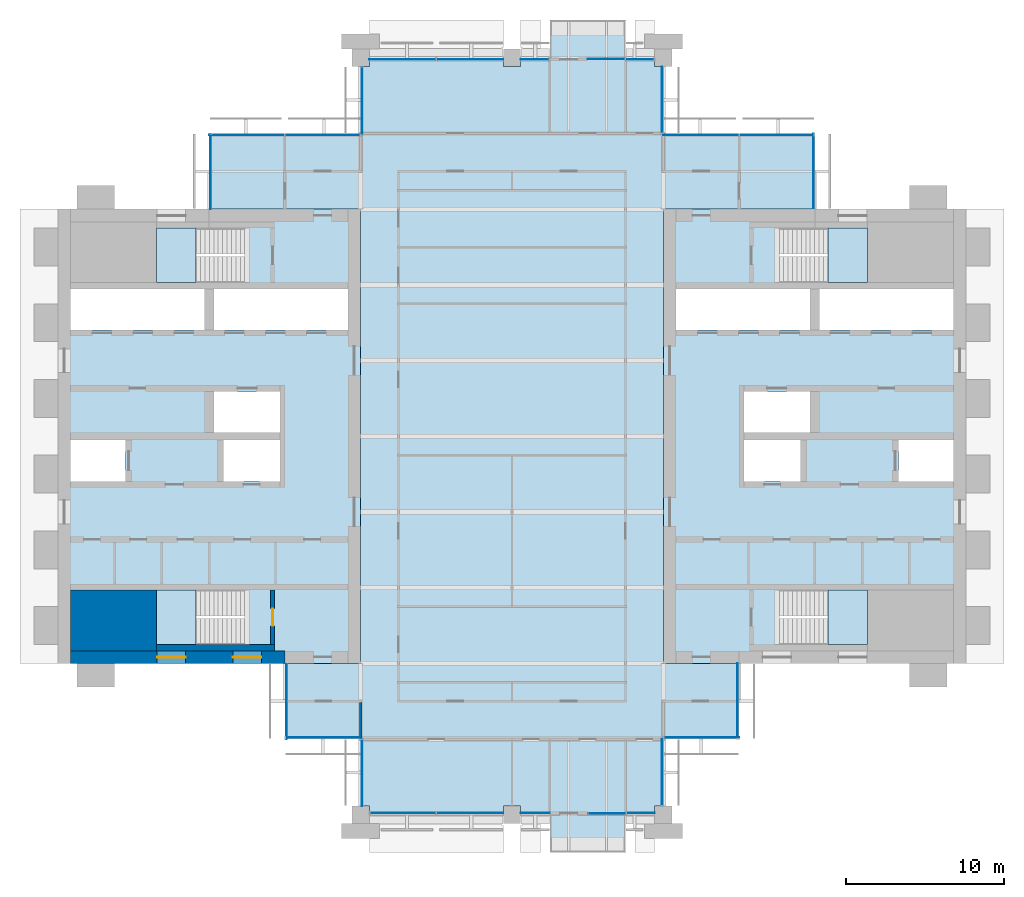
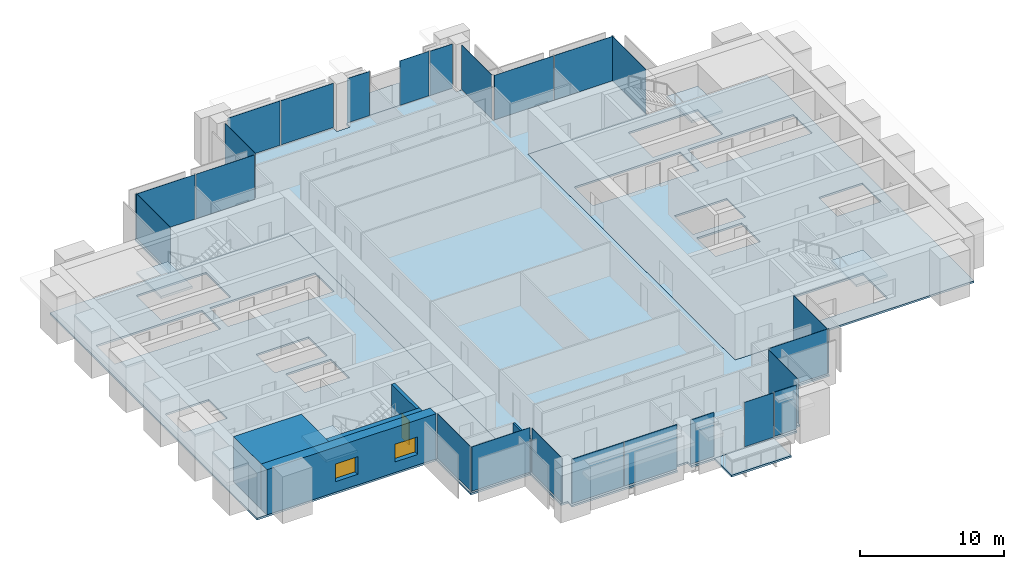
# One storey, part 7 of 14: 24 plates, 9 slabs, 5 walls, 2 windows, 1 door, 3 openings, 22 elements without a shape of their own.
"""IFC4 building model written with IfcOpenShell, lengths in metres."""

from ifc_helpers import new_model, si_unit, direction, frame, frame_2d, origin, origin_2d, place, context, subcontext, project, spatial, polyline, rectangle, outline, extrude, material, layer, layer_set, type_object, element, fill, aggregate, save


model = new_model("IFC4")

# Units and contexts
model_context = context("Model", 3, precision=1e-05, world=origin(), true_north=direction((0.0, 1.0)))
body_context = subcontext(model_context, "Body", "Model", "MODEL_VIEW")
ifc_project = project(units=[si_unit("LENGTHUNIT", "METRE"), si_unit("AREAUNIT", "SQUARE_METRE"), si_unit("VOLUMEUNIT", "CUBIC_METRE"), si_unit("PLANEANGLEUNIT", "RADIAN"), si_unit("MASSUNIT", "GRAM", prefix="KILO")], contexts=[model_context])

# Site, building, storey
site_placement = place(None, origin())
site = spatial("IfcSite", under=ifc_project, at=site_placement, CompositionType="ELEMENT")
building_placement = place(site_placement, origin())
building = spatial("IfcBuilding", under=site, at=building_placement, Name="Baori Bourse Tower", CompositionType="ELEMENT")
storey_placement = place(building_placement, frame((0.0, 0.0, 245.199951171875)))
storey = spatial("IfcBuildingStorey", under=building, at=storey_placement, Name="L54", CompositionType="ELEMENT", Elevation=245.199951171875)

# Slabs
ifc_material_1 = material(Name="Concrete f'c 40 MPa", Category="concrete")
ifc_layer_1 = layer(ifc_material_1, 0.159912109375)
ifc_layer_set_1 = layer_set([ifc_layer_1], Name="BL2 Balcony slab 160")
slab_type_1 = type_object("IfcSlabType", Name="BL2 Balcony slab 160", PredefinedType="FLOOR", material=ifc_layer_set_1)
slab_1_placement = place(storey_placement, frame((0.0, 0.0, -0.159912109375)))
element("IfcSlab", 1, at=slab_1_placement, inside=storey, type_object=slab_type_1, Name="Balcony slab L54 S", PredefinedType="FLOOR", context=body_context, shape_type="SweptSolid", body=[
    extrude(outline(polyline([(31.199951171875, 0.0), (31.199951171875, -2.39990234375), (36.0, -2.39990234375), (36.0, 0.0), (31.199951171875, 0.0)])), origin(), (0.0, 0.0, 1.0), 0.159912109375),
])
slab_2_placement = place(storey_placement, frame((0.0, 0.0, -0.159912109375)))
element("IfcSlab", 2, at=slab_2_placement, inside=storey, type_object=slab_type_1, Name="Balcony slab L54 N", PredefinedType="FLOOR", context=body_context, shape_type="SweptSolid", body=[
    extrude(outline(polyline([(31.199951171875, 48.0), (36.0, 48.0), (36.0, 50.39990234375), (31.199951171875, 50.39990234375), (31.199951171875, 48.0)])), origin(), (0.0, 0.0, 1.0), 0.159912109375),
])

# Curtain wall, plate
ifc_material_2 = material(Name="Pale anodised aluminium", Category="aluminium")
curtain_wall_type_1 = type_object("IfcCurtainWallType", Name="CW2 Curtain wall", PredefinedType="NOTDEFINED", material=ifc_material_2)
curtain_wall_1_placement = place(storey_placement, origin())
curtain_wall_1 = element("IfcCurtainWall", 3, at=curtain_wall_1_placement, inside=storey, type_object=curtain_wall_type_1, Name="Curtain wall CW2 L54 1", PredefinedType="NOTDEFINED")
ifc_material_3 = material(Name="Clear glass", Category="glass")
ifc_layer_2 = layer(ifc_material_3, 0.030029296875)
ifc_layer_set_2 = layer_set([ifc_layer_2], Name="CW2 Curtain wall panel")
plate_type_1 = type_object("IfcPlateType", Name="CW2 Curtain wall panel", PredefinedType="CURTAIN_PANEL", material=ifc_layer_set_2)
plate_1_placement = place(storey_placement, frame((47.909912109375, 40.827392578125, 0.070068359375), z_axis=(0.0, 0.0, 1.0), x_axis=(0.0, 1.0, 0.0)))
plate_1 = element("IfcPlate", 4, at=plate_1_placement, type_object=plate_type_1, Name="Curtain wall CW2 panel", PredefinedType="CURTAIN_PANEL", context=body_context, shape_type="SweptSolid", body=[
    extrude(rectangle(XDim=4.7451171875, YDim=0.030029296875, at=origin_2d()), origin(), (0.0, 0.0, 1.0), 3.77001953125),
])
aggregate(curtain_wall_1, [plate_1])

# Curtain wall, plates
curtain_wall_2_placement = place(storey_placement, origin())
curtain_wall_2 = element("IfcCurtainWall", 5, at=curtain_wall_2_placement, inside=storey, type_object=curtain_wall_type_1, Name="Curtain wall CW2 L54 2", PredefinedType="NOTDEFINED")
plate_2_placement = place(storey_placement, frame((45.586181640625, 43.110107421875, 0.070068359375), z_axis=(0.0, 0.0, 1.0), x_axis=(-1.0, 0.0, 0.0)))
plate_2 = element("IfcPlate", 6, at=plate_2_placement, type_object=plate_type_1, Name="Curtain wall CW2 panel", PredefinedType="CURTAIN_PANEL", context=body_context, shape_type="SweptSolid", body=[
    extrude(rectangle(XDim=4.717529296875, YDim=0.030029296875, at=origin_2d()), origin(), (0.0, 0.0, 1.0), 3.77001953125),
])
plate_3_placement = place(storey_placement, frame((40.7861328125, 43.110107421875, 0.070068359375), z_axis=(0.0, 0.0, 1.0), x_axis=(-1.0, 0.0, 0.0)))
plate_3 = element("IfcPlate", 7, at=plate_3_placement, type_object=plate_type_1, Name="Curtain wall CW2 panel", PredefinedType="CURTAIN_PANEL", context=body_context, shape_type="SweptSolid", body=[
    extrude(rectangle(XDim=4.7724609375, YDim=0.030029296875, at=origin_2d()), origin(), (0.0, 0.0, 1.0), 3.77001953125),
])
aggregate(curtain_wall_2, [plate_2, plate_3])

# Curtain wall, plate
curtain_wall_3_placement = place(storey_placement, origin())
curtain_wall_3 = element("IfcCurtainWall", 8, at=curtain_wall_3_placement, inside=storey, type_object=curtain_wall_type_1, Name="Curtain wall CW2 L54 3", PredefinedType="NOTDEFINED")
plate_4_placement = place(storey_placement, frame((38.31005859375, 45.3525390625, 0.070068359375), z_axis=(0.0, 0.0, 1.0), x_axis=(0.0, 1.0, 0.0)))
plate_4 = element("IfcPlate", 9, at=plate_4_placement, type_object=plate_type_1, Name="Curtain wall CW2 panel", PredefinedType="CURTAIN_PANEL", context=body_context, shape_type="SweptSolid", body=[
    extrude(rectangle(XDim=4.195068359375, YDim=0.030029296875, at=origin_2d()), origin(), (0.0, 0.0, 1.0), 3.77001953125),
])
aggregate(curtain_wall_3, [plate_4])

curtain_wall_4_placement = place(storey_placement, origin())
curtain_wall_4 = element("IfcCurtainWall", 10, at=curtain_wall_4_placement, inside=storey, type_object=curtain_wall_type_1, Name="Curtain wall CW2 L54 7", PredefinedType="NOTDEFINED")
plate_5_placement = place(storey_placement, frame((19.2900390625, 45.297607421875, 0.070068359375), z_axis=(0.0, 0.0, 1.0), x_axis=(0.0, -1.0, 0.0)))
plate_5 = element("IfcPlate", 11, at=plate_5_placement, type_object=plate_type_1, Name="Curtain wall CW2 panel", PredefinedType="CURTAIN_PANEL", context=body_context, shape_type="SweptSolid", body=[
    extrude(rectangle(XDim=4.195068359375, YDim=0.030029296875, at=origin_2d()), origin(), (0.0, 0.0, 1.0), 3.77001953125),
])
aggregate(curtain_wall_4, [plate_5])

# Curtain wall, plates
curtain_wall_5_placement = place(storey_placement, origin())
curtain_wall_5 = element("IfcCurtainWall", 12, at=curtain_wall_5_placement, inside=storey, type_object=curtain_wall_type_1, Name="Curtain wall CW2 L54 8", PredefinedType="NOTDEFINED")
plate_6_placement = place(storey_placement, frame((16.7861328125, 43.110107421875, 0.070068359375), z_axis=(0.0, 0.0, 1.0), x_axis=(-1.0, 0.0, 0.0)))
plate_6 = element("IfcPlate", 13, at=plate_6_placement, type_object=plate_type_1, Name="Curtain wall CW2 panel", PredefinedType="CURTAIN_PANEL", context=body_context, shape_type="SweptSolid", body=[
    extrude(rectangle(XDim=4.717529296875, YDim=0.030029296875, at=origin_2d()), origin(), (0.0, 0.0, 1.0), 3.77001953125),
])
plate_7_placement = place(storey_placement, frame((11.986328125, 43.110107421875, 0.070068359375), z_axis=(0.0, 0.0, 1.0), x_axis=(-1.0, 0.0, 0.0)))
plate_7 = element("IfcPlate", 14, at=plate_7_placement, type_object=plate_type_1, Name="Curtain wall CW2 panel", PredefinedType="CURTAIN_PANEL", context=body_context, shape_type="SweptSolid", body=[
    extrude(rectangle(XDim=4.7724609375, YDim=0.030029296875, at=origin_2d()), origin(), (0.0, 0.0, 1.0), 3.77001953125),
])
aggregate(curtain_wall_5, [plate_6, plate_7])

# Curtain wall, plate
curtain_wall_6_placement = place(storey_placement, origin())
curtain_wall_6 = element("IfcCurtainWall", 15, at=curtain_wall_6_placement, inside=storey, type_object=curtain_wall_type_1, Name="Curtain wall CW2 L54 9", PredefinedType="NOTDEFINED")
plate_8_placement = place(storey_placement, frame((9.68994140625, 40.7724609375, 0.070068359375), z_axis=(0.0, 0.0, 1.0), x_axis=(0.0, -1.0, 0.0)))
plate_8 = element("IfcPlate", 16, at=plate_8_placement, type_object=plate_type_1, Name="Curtain wall CW2 panel", PredefinedType="CURTAIN_PANEL", context=body_context, shape_type="SweptSolid", body=[
    extrude(rectangle(XDim=4.7451171875, YDim=0.030029296875, at=origin_2d()), origin(), (0.0, 0.0, 1.0), 3.77001953125),
])
aggregate(curtain_wall_6, [plate_8])

curtain_wall_7_placement = place(storey_placement, origin())
curtain_wall_7 = element("IfcCurtainWall", 17, at=curtain_wall_7_placement, inside=storey, type_object=curtain_wall_type_1, Name="Curtain wall CW2 L54 10", PredefinedType="NOTDEFINED")
plate_9_placement = place(storey_placement, frame((14.489990234375, 7.172607421875, 0.070068359375), z_axis=(0.0, 0.0, 1.0), x_axis=(0.0, -1.0, 0.0)))
plate_9 = element("IfcPlate", 18, at=plate_9_placement, type_object=plate_type_1, Name="Curtain wall CW2 panel", PredefinedType="CURTAIN_PANEL", context=body_context, shape_type="SweptSolid", body=[
    extrude(rectangle(XDim=4.7451171875, YDim=0.030029296875, at=origin_2d()), origin(), (0.0, 0.0, 1.0), 3.77001953125),
])
aggregate(curtain_wall_7, [plate_9])

curtain_wall_8_placement = place(storey_placement, origin())
curtain_wall_8 = element("IfcCurtainWall", 19, at=curtain_wall_8_placement, inside=storey, type_object=curtain_wall_type_1, Name="Curtain wall CW2 L54 11", PredefinedType="NOTDEFINED")
plate_10_placement = place(storey_placement, frame((16.827392578125, 4.889892578125, 0.070068359375), z_axis=(0.0, 0.0, 1.0), x_axis=(1.0, 0.0, 0.0)))
plate_10 = element("IfcPlate", 20, at=plate_10_placement, type_object=plate_type_1, Name="Curtain wall CW2 panel", PredefinedType="CURTAIN_PANEL", context=body_context, shape_type="SweptSolid", body=[
    extrude(rectangle(XDim=4.7451171875, YDim=0.030029296875, at=origin_2d()), origin(), (0.0, 0.0, 1.0), 3.77001953125),
])
aggregate(curtain_wall_8, [plate_10])

curtain_wall_9_placement = place(storey_placement, origin())
curtain_wall_9 = element("IfcCurtainWall", 21, at=curtain_wall_9_placement, inside=storey, type_object=curtain_wall_type_1, Name="Curtain wall CW2 L54 12", PredefinedType="NOTDEFINED")
plate_11_placement = place(storey_placement, frame((19.2900390625, 2.6474609375, 0.070068359375), z_axis=(0.0, 0.0, 1.0), x_axis=(0.0, -1.0, 0.0)))
plate_11 = element("IfcPlate", 22, at=plate_11_placement, type_object=plate_type_1, Name="Curtain wall CW2 panel", PredefinedType="CURTAIN_PANEL", context=body_context, shape_type="SweptSolid", body=[
    extrude(rectangle(XDim=4.195068359375, YDim=0.030029296875, at=origin_2d()), origin(), (0.0, 0.0, 1.0), 3.77001953125),
])
aggregate(curtain_wall_9, [plate_11])

curtain_wall_10_placement = place(storey_placement, origin())
curtain_wall_10 = element("IfcCurtainWall", 23, at=curtain_wall_10_placement, inside=storey, type_object=curtain_wall_type_1, Name="Curtain wall CW2 L54 16", PredefinedType="NOTDEFINED")
plate_12_placement = place(storey_placement, frame((38.31005859375, 2.702392578125, 0.070068359375), z_axis=(0.0, 0.0, 1.0), x_axis=(0.0, 1.0, 0.0)))
plate_12 = element("IfcPlate", 24, at=plate_12_placement, type_object=plate_type_1, Name="Curtain wall CW2 panel", PredefinedType="CURTAIN_PANEL", context=body_context, shape_type="SweptSolid", body=[
    extrude(rectangle(XDim=4.195068359375, YDim=0.030029296875, at=origin_2d()), origin(), (0.0, 0.0, 1.0), 3.77001953125),
])
aggregate(curtain_wall_10, [plate_12])

curtain_wall_11_placement = place(storey_placement, origin())
curtain_wall_11 = element("IfcCurtainWall", 25, at=curtain_wall_11_placement, inside=storey, type_object=curtain_wall_type_1, Name="Curtain wall CW2 L54 17", PredefinedType="NOTDEFINED")
plate_13_placement = place(storey_placement, frame((40.827392578125, 4.889892578125, 0.070068359375), z_axis=(0.0, 0.0, 1.0), x_axis=(1.0, 0.0, 0.0)))
plate_13 = element("IfcPlate", 26, at=plate_13_placement, type_object=plate_type_1, Name="Curtain wall CW2 panel", PredefinedType="CURTAIN_PANEL", context=body_context, shape_type="SweptSolid", body=[
    extrude(rectangle(XDim=4.7451171875, YDim=0.030029296875, at=origin_2d()), origin(), (0.0, 0.0, 1.0), 3.77001953125),
])
aggregate(curtain_wall_11, [plate_13])

curtain_wall_12_placement = place(storey_placement, origin())
curtain_wall_12 = element("IfcCurtainWall", 27, at=curtain_wall_12_placement, inside=storey, type_object=curtain_wall_type_1, Name="Curtain wall CW2 L54 18", PredefinedType="NOTDEFINED")
plate_14_placement = place(storey_placement, frame((43.110107421875, 7.2275390625, 0.070068359375), z_axis=(0.0, 0.0, 1.0), x_axis=(0.0, 1.0, 0.0)))
plate_14 = element("IfcPlate", 28, at=plate_14_placement, type_object=plate_type_1, Name="Curtain wall CW2 panel", PredefinedType="CURTAIN_PANEL", context=body_context, shape_type="SweptSolid", body=[
    extrude(rectangle(XDim=4.7451171875, YDim=0.030029296875, at=origin_2d()), origin(), (0.0, 0.0, 1.0), 3.77001953125),
])
aggregate(curtain_wall_12, [plate_14])

ifc_material_4 = material(Name="Pale anodised aluminium", Category="aluminium")
curtain_wall_type_2 = type_object("IfcCurtainWallType", Name="CW5 Curtain wall", PredefinedType="NOTDEFINED", material=ifc_material_4)
curtain_wall_13_placement = place(storey_placement, origin())
curtain_wall_13 = element("IfcCurtainWall", 29, at=curtain_wall_13_placement, inside=storey, type_object=curtain_wall_type_2, Name="Curtain wall CW5 L54 4", PredefinedType="NOTDEFINED")
ifc_material_5 = material(Name="Clear glass", Category="glass")
ifc_layer_3 = layer(ifc_material_5, 0.035888671875)
ifc_layer_set_3 = layer_set([ifc_layer_3], Name="CW5 Curtain wall panel")
plate_type_2 = type_object("IfcPlateType", Name="CW5 Curtain wall panel", PredefinedType="CURTAIN_PANEL", material=ifc_layer_set_3)
plate_15_placement = place(storey_placement, frame((36.892578125, 47.889892578125, 0.085205078125), z_axis=(0.0, 0.0, 1.0), x_axis=(-1.0, 0.0, 0.0)))
plate_15 = element("IfcPlate", 30, at=plate_15_placement, type_object=plate_type_2, Name="Curtain wall CW5 panel", PredefinedType="CURTAIN_PANEL", context=body_context, shape_type="SweptSolid", body=[
    extrude(rectangle(XDim=1.784912109375, YDim=0.035888671875, at=origin_2d()), origin(), (0.0, 0.0, 1.0), 3.7548828125),
])
aggregate(curtain_wall_13, [plate_15])

# Curtain wall, plates
curtain_wall_14_placement = place(storey_placement, origin())
curtain_wall_14 = element("IfcCurtainWall", 31, at=curtain_wall_14_placement, inside=storey, type_object=curtain_wall_type_2, Name="Curtain wall CW5 L54 6", PredefinedType="NOTDEFINED")
plate_16_placement = place(storey_placement, frame((30.242431640625, 47.889892578125, 0.085205078125), z_axis=(0.0, 0.0, 1.0), x_axis=(-1.0, 0.0, 0.0)))
plate_16 = element("IfcPlate", 32, at=plate_16_placement, type_object=plate_type_2, Name="Curtain wall CW5 panel", PredefinedType="CURTAIN_PANEL", context=body_context, shape_type="SweptSolid", body=[
    extrude(rectangle(XDim=1.784912109375, YDim=0.035888671875, at=origin_2d()), origin(), (0.0, 0.0, 1.0), 3.7548828125),
])
plate_17_placement = place(storey_placement, frame((26.141357421875, 47.889892578125, 0.085205078125), z_axis=(0.0, 0.0, 1.0), x_axis=(-1.0, 0.0, 0.0)))
plate_17 = element("IfcPlate", 33, at=plate_17_placement, type_object=plate_type_2, Name="Curtain wall CW5 panel", PredefinedType="CURTAIN_PANEL", context=body_context, shape_type="SweptSolid", body=[
    extrude(rectangle(XDim=4.217529296875, YDim=0.035888671875, at=origin_2d()), origin(), (0.0, 0.0, 1.0), 3.7548828125),
])
plate_18_placement = place(storey_placement, frame((21.858642578125, 47.889892578125, 0.085205078125), z_axis=(0.0, 0.0, 1.0), x_axis=(-1.0, 0.0, 0.0)))
plate_18 = element("IfcPlate", 34, at=plate_18_placement, type_object=plate_type_2, Name="Curtain wall CW5 panel", PredefinedType="CURTAIN_PANEL", context=body_context, shape_type="SweptSolid", body=[
    extrude(rectangle(XDim=4.217529296875, YDim=0.035888671875, at=origin_2d()), origin(), (0.0, 0.0, 1.0), 3.7548828125),
])
aggregate(curtain_wall_14, [plate_16, plate_17, plate_18])

curtain_wall_15_placement = place(storey_placement, origin())
curtain_wall_15 = element("IfcCurtainWall", 35, at=curtain_wall_15_placement, inside=storey, type_object=curtain_wall_type_2, Name="Curtain wall CW5 L54 13", PredefinedType="NOTDEFINED")
plate_19_placement = place(storey_placement, frame((21.891357421875, 0.110107421875, 0.085205078125), z_axis=(0.0, 0.0, 1.0), x_axis=(1.0, 0.0, 0.0)))
plate_19 = element("IfcPlate", 36, at=plate_19_placement, type_object=plate_type_2, Name="Curtain wall CW5 panel", PredefinedType="CURTAIN_PANEL", context=body_context, shape_type="SweptSolid", body=[
    extrude(rectangle(XDim=4.152587890625, YDim=0.035888671875, at=origin_2d()), origin(), (0.0, 0.0, 1.0), 3.7548828125),
])
plate_20_placement = place(storey_placement, frame((26.141357421875, 0.110107421875, 0.085205078125), z_axis=(0.0, 0.0, 1.0), x_axis=(1.0, 0.0, 0.0)))
plate_20 = element("IfcPlate", 37, at=plate_20_placement, type_object=plate_type_2, Name="Curtain wall CW5 panel", PredefinedType="CURTAIN_PANEL", context=body_context, shape_type="SweptSolid", body=[
    extrude(rectangle(XDim=4.217529296875, YDim=0.035888671875, at=origin_2d()), origin(), (0.0, 0.0, 1.0), 3.7548828125),
])
plate_21_placement = place(storey_placement, frame((30.27490234375, 0.110107421875, 0.085205078125), z_axis=(0.0, 0.0, 1.0), x_axis=(1.0, 0.0, 0.0)))
plate_21 = element("IfcPlate", 38, at=plate_21_placement, type_object=plate_type_2, Name="Curtain wall CW5 panel", PredefinedType="CURTAIN_PANEL", context=body_context, shape_type="SweptSolid", body=[
    extrude(rectangle(XDim=1.85009765625, YDim=0.035888671875, at=origin_2d()), origin(), (0.0, 0.0, 1.0), 3.7548828125),
])
aggregate(curtain_wall_15, [plate_19, plate_20, plate_21])

# Curtain wall, plate
curtain_wall_16_placement = place(storey_placement, origin())
curtain_wall_16 = element("IfcCurtainWall", 39, at=curtain_wall_16_placement, inside=storey, type_object=curtain_wall_type_2, Name="Curtain wall CW5 L54 15", PredefinedType="NOTDEFINED")
plate_22_placement = place(storey_placement, frame((36.95751953125, 0.110107421875, 0.085205078125), z_axis=(0.0, 0.0, 1.0), x_axis=(1.0, 0.0, 0.0)))
plate_22 = element("IfcPlate", 40, at=plate_22_placement, type_object=plate_type_2, Name="Curtain wall CW5 panel", PredefinedType="CURTAIN_PANEL", context=body_context, shape_type="SweptSolid", body=[
    extrude(rectangle(XDim=1.784912109375, YDim=0.035888671875, at=origin_2d()), origin(), (0.0, 0.0, 1.0), 3.7548828125),
])
aggregate(curtain_wall_16, [plate_22])

ifc_material_6 = material(Name="Pale anodised aluminium", Category="aluminium")
curtain_wall_type_3 = type_object("IfcCurtainWallType", Name="CW6 Curtain wall", PredefinedType="NOTDEFINED", material=ifc_material_6)
curtain_wall_17_placement = place(storey_placement, origin())
curtain_wall_17 = element("IfcCurtainWall", 41, at=curtain_wall_17_placement, inside=storey, type_object=curtain_wall_type_3, Name="Curtain wall CW6 L54 5", PredefinedType="NOTDEFINED")
ifc_material_7 = material(Name="Clear glass", Category="glass")
ifc_layer_4 = layer(ifc_material_7, 0.028076171875)
ifc_layer_set_4 = layer_set([ifc_layer_4], Name="CW6 Curtain wall panel")
plate_type_3 = type_object("IfcPlateType", Name="CW6 Curtain wall panel", PredefinedType="CURTAIN_PANEL", material=ifc_layer_set_4)
plate_23_placement = place(storey_placement, frame((34.77490234375, 47.925048828125, 0.065185546875), z_axis=(0.0, 0.0, 1.0), x_axis=(-1.0, 0.0, 0.0)))
plate_23 = element("IfcPlate", 42, at=plate_23_placement, type_object=plate_type_3, Name="Curtain wall CW6 panel", PredefinedType="CURTAIN_PANEL", context=body_context, shape_type="SweptSolid", body=[
    extrude(rectangle(XDim=2.35009765625, YDim=0.028076171875, at=origin_2d()), origin(), (0.0, 0.0, 1.0), 3.77490234375),
])
aggregate(curtain_wall_17, [plate_23])

curtain_wall_18_placement = place(storey_placement, origin())
curtain_wall_18 = element("IfcCurtainWall", 43, at=curtain_wall_18_placement, inside=storey, type_object=curtain_wall_type_3, Name="Curtain wall CW6 L54 14", PredefinedType="NOTDEFINED")
plate_24_placement = place(storey_placement, frame((34.824951171875, 0.074951171875, 0.065185546875), z_axis=(0.0, 0.0, 1.0), x_axis=(1.0, 0.0, 0.0)))
plate_24 = element("IfcPlate", 44, at=plate_24_placement, type_object=plate_type_3, Name="Curtain wall CW6 panel", PredefinedType="CURTAIN_PANEL", context=body_context, shape_type="SweptSolid", body=[
    extrude(rectangle(XDim=2.35009765625, YDim=0.028076171875, at=origin_2d()), origin(), (0.0, 0.0, 1.0), 3.77490234375),
])
aggregate(curtain_wall_18, [plate_24])

# Slabs
ifc_material_8 = material(Name="Concrete f'c 50 MPa", Category="concrete")
ifc_layer_5 = layer(ifc_material_8, 0.159912109375)
ifc_layer_set_5 = layer_set([ifc_layer_5], Name="Core slab 160")
slab_type_2 = type_object("IfcSlabType", Name="Core slab 160", PredefinedType="FLOOR", material=ifc_layer_set_5)
slab_3_placement = place(storey_placement, frame((0.0, 0.0, -0.159912109375)))
element("IfcSlab", 45, at=slab_3_placement, inside=storey, type_object=slab_type_2, Name="Core floor slab W01", PredefinedType="FLOOR", context=body_context, shape_type="SweptSolid", body=[
    extrude(outline(polyline([(19.199951171875, 38.39990234375), (0.0, 38.39990234375), (0.0, 9.60009765625), (19.199951171875, 9.60009765625), (19.199951171875, 38.39990234375)]), holes=[polyline([(9.89990234375, 33.35009765625), (18.39990234375, 33.35009765625), (18.39990234375, 30.75), (9.89990234375, 30.75), (9.89990234375, 33.35009765625)]), polyline([(10.5, 21.14990234375), (10.5, 23.75), (14.10009765625, 23.75), (14.10009765625, 21.14990234375), (10.5, 21.14990234375)]), polyline([(14.10009765625, 24.25), (9.89990234375, 24.25), (9.89990234375, 26.85009765625), (14.10009765625, 26.85009765625), (14.10009765625, 24.25)]), polyline([(6.25, 14.25), (11.84912109375, 14.25), (11.84912109375, 10.800048828125), (6.25, 10.800048828125), (6.25, 14.25)]), polyline([(11.84912109375, 37.199951171875), (11.84912109375, 33.75), (6.25, 33.75), (6.25, 37.199951171875), (11.84912109375, 37.199951171875)]), polyline([(0.800048828125, 30.75), (0.800048828125, 33.35009765625), (9.300048828125, 33.35009765625), (9.300048828125, 30.75), (0.800048828125, 30.75)]), polyline([(4.300048828125, 23.75), (4.300048828125, 21.14990234375), (0.800048828125, 21.14990234375), (0.800048828125, 23.75), (4.300048828125, 23.75)])]), origin(), (0.0, 0.0, 1.0), 0.159912109375),
])
slab_4_placement = place(storey_placement, frame((0.0, 0.0, -0.159912109375)))
element("IfcSlab", 46, at=slab_4_placement, inside=storey, type_object=slab_type_2, Name="Core floor slab E01", PredefinedType="FLOOR", context=body_context, shape_type="SweptSolid", body=[
    extrude(outline(polyline([(57.60009765625, 9.60009765625), (57.60009765625, 38.39990234375), (38.39990234375, 38.39990234375), (38.39990234375, 9.60009765625), (57.60009765625, 9.60009765625)]), holes=[polyline([(48.300048828125, 33.35009765625), (56.800048828125, 33.35009765625), (56.800048828125, 30.75), (48.300048828125, 30.75), (48.300048828125, 33.35009765625)]), polyline([(56.800048828125, 21.14990234375), (53.300048828125, 21.14990234375), (53.300048828125, 23.75), (56.800048828125, 23.75), (56.800048828125, 21.14990234375)]), polyline([(45.750732421875, 14.25), (51.35009765625, 14.25), (51.35009765625, 10.800048828125), (45.750732421875, 10.800048828125), (45.750732421875, 14.25)]), polyline([(51.35009765625, 37.199951171875), (51.35009765625, 33.75), (45.750732421875, 33.75), (45.750732421875, 37.199951171875), (51.35009765625, 37.199951171875)]), polyline([(43.5, 24.25), (43.5, 26.85009765625), (47.699951171875, 26.85009765625), (47.699951171875, 24.25), (43.5, 24.25)]), polyline([(47.699951171875, 33.35009765625), (47.699951171875, 30.75), (39.199951171875, 30.75), (39.199951171875, 33.35009765625), (47.699951171875, 33.35009765625)]), polyline([(43.5, 23.75), (47.10009765625, 23.75), (47.10009765625, 21.14990234375), (43.5, 21.14990234375), (43.5, 23.75)])]), origin(), (0.0, 0.0, 1.0), 0.159912109375),
])

# Stair, slab
ifc_material_9 = material(Name="Concrete f'c 50 MPa", Category="concrete")
stair_type = type_object("IfcStairType", Name="Core stair", PredefinedType="HALF_TURN_STAIR", material=ifc_material_9)
stair_1_placement = place(storey_placement, origin())
stair_1 = element("IfcStair", 47, at=stair_1_placement, inside=storey, type_object=stair_type, Name="L54 Stair WA", PredefinedType="HALF_TURN_STAIR")
ifc_material_10 = material(Name="Concrete f'c 50 MPa", Category="concrete")
slab_type_3 = type_object("IfcSlabType", Name="Core stair landing", PredefinedType="LANDING", material=ifc_material_10)
slab_5_placement = place(storey_placement, frame((0.0, 0.0, 1.800048828125)))
slab_5 = element("IfcSlab", 48, at=slab_5_placement, type_object=slab_type_3, Name="ST1 landing 1", PredefinedType="LANDING", context=body_context, shape_type="SweptSolid", body=[
    extrude(outline(polyline([(8.77001953125, 14.25), (6.25, 14.25), (6.25, 10.800048828125), (8.77001953125, 10.800048828125), (8.77001953125, 14.25)])), origin(), (0.0, 0.0, 1.0), 0.199951171875),
])
aggregate(stair_1, [slab_5])

stair_2_placement = place(storey_placement, origin())
stair_2 = element("IfcStair", 49, at=stair_2_placement, inside=storey, type_object=stair_type, Name="L54 Stair WB", PredefinedType="HALF_TURN_STAIR")
slab_6_placement = place(storey_placement, frame((0.0, 0.0, 1.800048828125)))
slab_6 = element("IfcSlab", 50, at=slab_6_placement, type_object=slab_type_3, Name="ST2 landing 1", PredefinedType="LANDING", context=body_context, shape_type="SweptSolid", body=[
    extrude(outline(polyline([(8.77001953125, 37.199951171875), (6.25, 37.199951171875), (6.25, 33.75), (8.77001953125, 33.75), (8.77001953125, 37.199951171875)])), origin(), (0.0, 0.0, 1.0), 0.199951171875),
])
aggregate(stair_2, [slab_6])

stair_3_placement = place(storey_placement, origin())
stair_3 = element("IfcStair", 51, at=stair_3_placement, inside=storey, type_object=stair_type, Name="L54 Stair EA", PredefinedType="HALF_TURN_STAIR")
slab_7_placement = place(storey_placement, frame((0.0, 0.0, 1.800048828125)))
slab_7 = element("IfcSlab", 52, at=slab_7_placement, type_object=slab_type_3, Name="ST3 landing 1", PredefinedType="LANDING", context=body_context, shape_type="SweptSolid", body=[
    extrude(outline(polyline([(48.830078125, 10.800048828125), (51.35009765625, 10.800048828125), (51.35009765625, 14.25), (48.830078125, 14.25), (48.830078125, 10.800048828125)])), origin(), (0.0, 0.0, 1.0), 0.199951171875),
])
aggregate(stair_3, [slab_7])

stair_4_placement = place(storey_placement, origin())
stair_4 = element("IfcStair", 53, at=stair_4_placement, inside=storey, type_object=stair_type, Name="L54 Stair EB", PredefinedType="HALF_TURN_STAIR")
slab_8_placement = place(storey_placement, frame((0.0, 0.0, 1.800048828125)))
slab_8 = element("IfcSlab", 54, at=slab_8_placement, type_object=slab_type_3, Name="ST4 landing 1", PredefinedType="LANDING", context=body_context, shape_type="SweptSolid", body=[
    extrude(outline(polyline([(48.830078125, 33.75), (51.35009765625, 33.75), (51.35009765625, 37.199951171875), (48.830078125, 37.199951171875), (48.830078125, 33.75)])), origin(), (0.0, 0.0, 1.0), 0.199951171875),
])
aggregate(stair_4, [slab_8])

# Slab
ifc_material_11 = material(Name="Concrete f'c 40 MPa", Category="concrete")
ifc_layer_6 = layer(ifc_material_11, 0.159912109375)
ifc_layer_set_6 = layer_set([ifc_layer_6], Name="Floor slab 160")
slab_type_4 = type_object("IfcSlabType", Name="Floor slab 160", PredefinedType="FLOOR", material=ifc_layer_set_6)
slab_9_placement = place(storey_placement, frame((0.0, 0.0, -0.159912109375)))
element("IfcSlab", 55, at=slab_9_placement, inside=storey, type_object=slab_type_4, Name="Floor slab L54", PredefinedType="FLOOR", context=body_context, shape_type="SweptSolid", body=[
    extrude(outline(polyline([(19.199951171875, 4.800048828125), (14.39990234375, 4.800048828125), (14.39990234375, 9.60009765625), (19.199951171875, 9.60009765625), (19.199951171875, 38.39990234375), (9.60009765625, 38.39990234375), (9.60009765625, 43.199951171875), (19.199951171875, 43.199951171875), (19.199951171875, 47.449951171875), (19.75, 47.449951171875), (19.75, 48.0), (28.25, 48.0), (28.25, 47.449951171875), (29.35009765625, 47.449951171875), (29.35009765625, 48.0), (37.85009765625, 48.0), (37.85009765625, 47.449951171875), (38.39990234375, 47.449951171875), (38.39990234375, 43.199951171875), (48.0, 43.199951171875), (48.0, 38.39990234375), (38.39990234375, 38.39990234375), (38.39990234375, 9.60009765625), (43.199951171875, 9.60009765625), (43.199951171875, 4.800048828125), (38.39990234375, 4.800048828125), (38.39990234375, 0.550048828125), (37.85009765625, 0.550048828125), (37.85009765625, 0.0), (29.35009765625, 0.0), (29.35009765625, 0.550048828125), (28.25, 0.550048828125), (28.25, 0.0), (19.75, 0.0), (19.75, 0.550048828125), (19.199951171875, 0.550048828125), (19.199951171875, 4.800048828125)])), origin(), (0.0, 0.0, 1.0), 0.159912109375),
])

# Wall
ifc_material_12 = material(Name="Concrete f'c 50 MPa", Category="concrete")
wall_type_1 = type_object("IfcWallType", Name="Core corner block f'c 50", PredefinedType="SHEAR", material=ifc_material_12)
wall_1_placement = place(storey_placement, frame((0.800048828125, 12.324951171875, 0.0), z_axis=(0.0, 0.0, 1.0), x_axis=(1.0, 0.0, 0.0)))
element("IfcWall", 56, at=wall_1_placement, inside=storey, type_object=wall_type_1, Name="Core wall W05", PredefinedType="SHEAR", context=body_context, shape_type="SweptSolid", body=[
    extrude(rectangle(XDim=5.449951171875, YDim=3.85009765625, at=frame_2d((2.72509765625, 0.0))), origin(), (0.0, 0.0, 1.0), 3.840087890625),
])

# Wall, openings, windows
ifc_material_13 = material(Name="Concrete f'c 50 MPa", Category="concrete")
ifc_layer_7 = layer(ifc_material_13, 0.800048828125)
ifc_layer_set_7 = layer_set([ifc_layer_7], Name="Core wall 800 f'c 50")
wall_type_2 = type_object("IfcWallType", Name="Core wall 800 f'c 50", PredefinedType="SHEAR", material=ifc_layer_set_7)
wall_2_placement = place(storey_placement, frame((14.39990234375, 10.0, 0.0), z_axis=(0.0, 0.0, 1.0), x_axis=(-1.0, 0.0, 0.0)))
wall_2 = element("IfcWall", 57, at=wall_2_placement, inside=storey, type_object=wall_type_2, Name="Core wall W02", PredefinedType="SHEAR", context=body_context, shape_type="SweptSolid", body=[
    extrude(rectangle(XDim=13.599853515625, YDim=0.800048828125, at=frame_2d((6.7998046875, 0.0))), origin(), (0.0, 0.0, 1.0), 3.840087890625),
])
opening_1_placement = place(wall_2_placement, frame((6.300048828125, 0.0, 0.89990234375)))
opening_1 = element("IfcOpeningElement", 58, at=opening_1_placement, cuts=wall_2, Name="Opening L54-KW103", PredefinedType="OPENING", context=body_context, shape_type="SweptSolid", body=[
    extrude(rectangle(XDim=1.800048828125, YDim=1.5, at=frame_2d((0.89990234375, 0.75))), frame((0.0, 0.409912109375, 0.0), z_axis=(0.0, -1.0, 0.0), x_axis=(1.0, 0.0, 0.0)), (0.0, 0.0, 1.0), 0.820068359375),
])
opening_2_placement = place(wall_2_placement, frame((1.5, 0.0, 0.89990234375)))
opening_2 = element("IfcOpeningElement", 59, at=opening_2_placement, cuts=wall_2, Name="Opening L54-KW104", PredefinedType="OPENING", context=body_context, shape_type="SweptSolid", body=[
    extrude(rectangle(XDim=1.800048828125, YDim=1.5, at=frame_2d((0.89990234375, 0.75))), frame((0.0, 0.409912109375, 0.0), z_axis=(0.0, -1.0, 0.0), x_axis=(1.0, 0.0, 0.0)), (0.0, 0.0, 1.0), 0.820068359375),
])
ifc_material_14 = material(Name="Pale anodised aluminium", Category="aluminium")
window_type = type_object("IfcWindowType", Name="Stair window 1800 x 1500", PartitioningType="SINGLE_PANEL", PredefinedType="WINDOW", material=ifc_material_14)
window_1_placement = place(opening_1_placement, origin())
window_1 = element("IfcWindow", 60, at=window_1_placement, inside=storey, type_object=window_type, Name="Stair window W L54 3", OverallHeight=1.5, OverallWidth=1.800048828125, PartitioningType="SINGLE_PANEL", PredefinedType="WINDOW", context=body_context, shape_type="SweptSolid", body=[
    extrude(rectangle(XDim=1.800048828125, YDim=1.5, at=frame_2d((0.89990234375, 0.75))), frame((0.0, 0.030029296875, 0.0), z_axis=(0.0, -1.0, 0.0), x_axis=(1.0, 0.0, 0.0)), (0.0, 0.0, 1.0), 0.06005859375),
])
fill(opening_1, window_1)
window_2_placement = place(opening_2_placement, origin())
window_2 = element("IfcWindow", 61, at=window_2_placement, inside=storey, type_object=window_type, Name="Stair window W L54 4", OverallHeight=1.5, OverallWidth=1.800048828125, PartitioningType="SINGLE_PANEL", PredefinedType="WINDOW", context=body_context, shape_type="SweptSolid", body=[
    extrude(rectangle(XDim=1.800048828125, YDim=1.5, at=frame_2d((0.89990234375, 0.75))), frame((0.0, 0.030029296875, 0.0), z_axis=(0.0, -1.0, 0.0), x_axis=(1.0, 0.0, 0.0)), (0.0, 0.0, 1.0), 0.06005859375),
])
fill(opening_2, window_2)

# Wall
ifc_material_15 = material(Name="Gypsum board partition")
ifc_layer_8 = layer(ifc_material_15, 0.14990234375)
ifc_layer_set_8 = layer_set([ifc_layer_8], Name="Corridor partition 150")
wall_type_3 = type_object("IfcWallType", Name="Corridor partition 150", PredefinedType="PARTITIONING", material=ifc_layer_set_8)
wall_3_placement = place(storey_placement, frame((19.199951171875, 4.875, 0.0), z_axis=(0.0, 0.0, 1.0), x_axis=(0.0, 1.0, 0.0)))
element("IfcWall", 62, at=wall_3_placement, inside=storey, type_object=wall_type_3, Name="Partition", PredefinedType="PARTITIONING", context=body_context, shape_type="SweptSolid", body=[
    extrude(rectangle(XDim=2.25, YDim=0.14990234375, at=frame_2d((1.125, 0.0))), origin(), (0.0, 0.0, 1.0), 2.869873046875),
])

# Wall, opening, door
ifc_material_16 = material(Name="Concrete f'c 50 MPa", Category="concrete")
ifc_layer_9 = layer(ifc_material_16, 0.25)
ifc_layer_set_9 = layer_set([ifc_layer_9], Name="Shaft wall 250 f'c 50")
wall_type_4 = type_object("IfcWallType", Name="Shaft wall 250 f'c 50", PredefinedType="SHEAR", material=ifc_layer_set_9)
wall_4_placement = place(storey_placement, frame((13.625, 10.800048828125, 0.0), z_axis=(0.0, 0.0, 1.0), x_axis=(0.0, 1.0, 0.0)))
wall_4 = element("IfcWall", 63, at=wall_4_placement, inside=storey, type_object=wall_type_4, Name="Core wall W07", PredefinedType="SHEAR", context=body_context, shape_type="SweptSolid", body=[
    extrude(rectangle(XDim=3.449951171875, YDim=0.25, at=frame_2d((1.72509765625, 0.0))), origin(), (0.0, 0.0, 1.0), 3.840087890625),
])
opening_3_placement = place(wall_4_placement, frame((1.175048828125, 0.0, 0.0)))
opening_3 = element("IfcOpeningElement", 64, at=opening_3_placement, cuts=wall_4, Name="Opening L54-D101", PredefinedType="OPENING", context=body_context, shape_type="SweptSolid", body=[
    extrude(rectangle(XDim=1.10009765625, YDim=2.10009765625, at=frame_2d((0.550048828125, 1.050048828125))), frame((0.0, 0.135009765625, 0.0), z_axis=(0.0, -1.0, 0.0), x_axis=(1.0, 0.0, 0.0)), (0.0, 0.0, 1.0), 0.27001953125),
])
ifc_material_17 = material(Name="Painted steel door", Category="steel")
door_type = type_object("IfcDoorType", Name="Stair door 1100", OperationType="SINGLE_SWING_LEFT", PredefinedType="DOOR", material=ifc_material_17)
door_placement = place(opening_3_placement, origin())
door = element("IfcDoor", 65, at=door_placement, inside=storey, type_object=door_type, Name="Stair door A W L54", OperationType="SINGLE_SWING_LEFT", OverallHeight=2.10009765625, OverallWidth=1.10009765625, PredefinedType="DOOR", context=body_context, shape_type="SweptSolid", body=[
    extrude(rectangle(XDim=1.10009765625, YDim=2.10009765625, at=frame_2d((0.550048828125, 1.050048828125))), frame((0.0, 0.02490234375, 0.0), z_axis=(0.0, -1.0, 0.0), x_axis=(1.0, 0.0, 0.0)), (0.0, 0.0, 1.0), 0.050048828125),
])
fill(opening_3, door)

# Wall
ifc_material_18 = material(Name="Concrete f'c 50 MPa", Category="concrete")
ifc_layer_10 = layer(ifc_material_18, 0.39990234375)
ifc_layer_set_10 = layer_set([ifc_layer_10], Name="Shaft wall 400 f'c 50")
wall_type_5 = type_object("IfcWallType", Name="Shaft wall 400 f'c 50", PredefinedType="SHEAR", material=ifc_layer_set_10)
wall_5_placement = place(storey_placement, frame((6.25, 10.60009765625, 0.0), z_axis=(0.0, 0.0, 1.0), x_axis=(1.0, 0.0, 0.0)))
element("IfcWall", 66, at=wall_5_placement, inside=storey, type_object=wall_type_5, Name="Core wall W06", PredefinedType="SHEAR", context=body_context, shape_type="SweptSolid", body=[
    extrude(rectangle(XDim=7.5, YDim=0.39990234375, at=frame_2d((3.75, 0.0))), origin(), (0.0, 0.0, 1.0), 3.840087890625),
])

save(model, "model.ifc")
